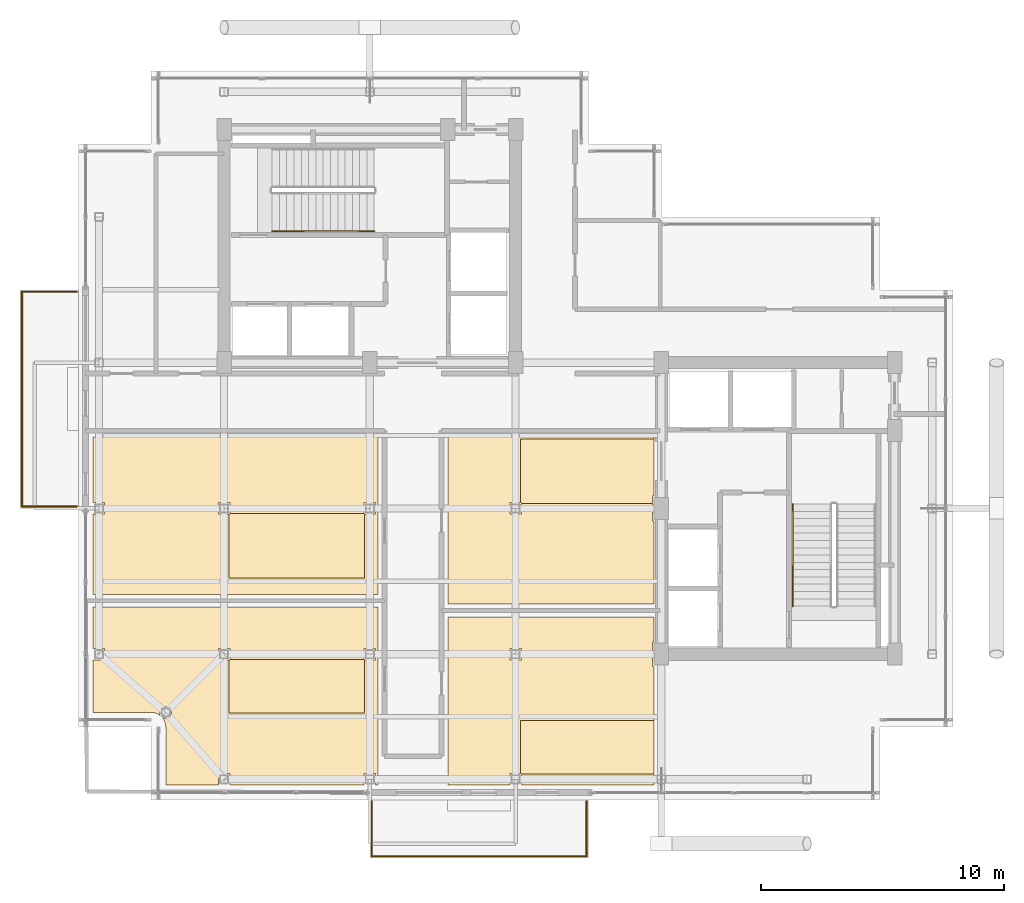
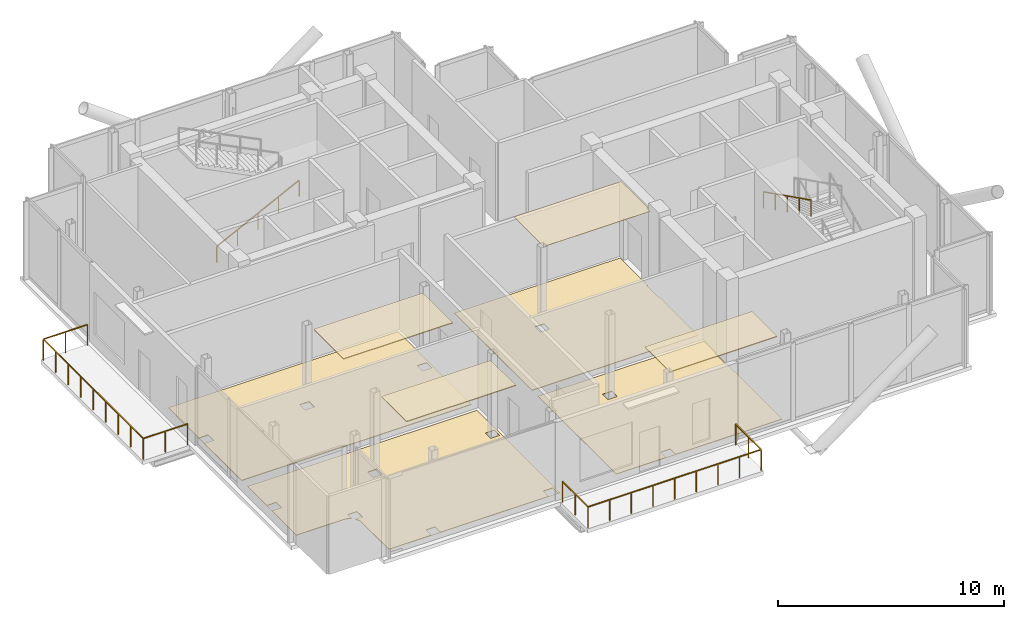
# One storey, part 15 of 16: 8 coverings, 4 railings.
"""IFC4 building model written with IfcOpenShell, lengths in metres."""

from ifc_helpers import new_model, si_unit, direction, frame, origin, origin_2d, place, context, subcontext, project, spatial, polyline, rectangle, outline, extrude, material, layer, layer_set, type_object, element, save


model = new_model("IFC4")

# Units and contexts
model_context = context("Model", 3, precision=1e-05, world=origin(), true_north=direction((0.0, 1.0)))
body_context = subcontext(model_context, "Body", "Model", "MODEL_VIEW")
ifc_project = project(units=[si_unit("LENGTHUNIT", "METRE"), si_unit("AREAUNIT", "SQUARE_METRE"), si_unit("VOLUMEUNIT", "CUBIC_METRE"), si_unit("PLANEANGLEUNIT", "RADIAN"), si_unit("MASSUNIT", "GRAM", prefix="KILO"), si_unit("THERMODYNAMICTEMPERATUREUNIT", "KELVIN"), si_unit("POWERUNIT", "WATT")], contexts=[model_context])

# Site, building, storey
site_placement = place(None, origin())
site = spatial("IfcSite", under=ifc_project, at=site_placement, CompositionType="ELEMENT")
building_placement = place(site_placement, origin())
building = spatial("IfcBuilding", under=site, at=building_placement, Name="Svarakhadi Broadcast Tower", CompositionType="ELEMENT")
storey_placement = place(building_placement, frame((0.0, 0.0, 296.39990234375)))
storey = spatial("IfcBuildingStorey", under=building, at=storey_placement, Name="L75", CompositionType="ELEMENT", Elevation=296.39990234375)

# Coverings
ifc_material_1 = material(Name="Anodised Bronze Aluminium Linear Acoustic Baffle", Category="aluminium")
ifc_layer_1 = layer(ifc_material_1, 0.044921875)
ifc_layer_set_1 = layer_set([ifc_layer_1], Name="Anodised Bronze Aluminium Linear Acoustic Baffle")
covering_type_1 = type_object("IfcCoveringType", Name="Cov_Ceiling_Baffle", PredefinedType="CEILING", material=ifc_layer_set_1)
covering_1_placement = place(storey_placement, frame((0.0, 0.0, 4.18017578125)))
element("IfcCovering", 1, at=covering_1_placement, inside=storey, type_object=covering_type_1, Name="L75 Public 360-Degree Harbour Viewing Deck Acoustic Ceiling", PredefinedType="CEILING", context=body_context, shape_type="SweptSolid", body=[
    extrude(outline(polyline([(6.235107421875, 5.764892578125), (6.235107421875, 5.7900390625), (11.764892578125, 5.7900390625), (11.764892578125, 5.764892578125), (11.7900390625, 5.764892578125), (11.7900390625, 3.570068359375), (6.2099609375, 3.570068359375), (6.2099609375, 3.81005859375), (6.2099609375, 5.764892578125), (6.235107421875, 5.764892578125)])), origin(), (0.0, 0.0, 1.0), 0.044921875),
])
covering_2_placement = place(storey_placement, frame((0.0, 0.0, 4.18017578125)))
element("IfcCovering", 2, at=covering_2_placement, inside=storey, type_object=covering_type_1, Name="L75 Interactive Mumbai Media Gallery Acoustic Ceiling", PredefinedType="CEILING", context=body_context, shape_type="SweptSolid", body=[
    extrude(outline(polyline([(6.235107421875, 11.764892578125), (6.235107421875, 11.7900390625), (11.764892578125, 11.7900390625), (11.764892578125, 11.764892578125), (11.7900390625, 11.764892578125), (11.7900390625, 9.14501953125), (6.2099609375, 9.14501953125), (6.2099609375, 11.764892578125), (6.235107421875, 11.764892578125)])), origin(), (0.0, 0.0, 1.0), 0.044921875),
])
covering_3_placement = place(storey_placement, frame((0.0, 0.0, 4.18017578125)))
element("IfcCovering", 3, at=covering_3_placement, inside=storey, type_object=covering_type_1, Name="L75 Sky-High Observatory Cafe Acoustic Ceiling", PredefinedType="CEILING", context=body_context, shape_type="SweptSolid", body=[
    extrude(outline(polyline([(23.68994140625, 1.06005859375), (18.235107421875, 1.06005859375), (18.235107421875, 1.0849609375), (18.2099609375, 1.0849609375), (18.2099609375, 3.280029296875), (23.68994140625, 3.280029296875), (23.68994140625, 1.06005859375)])), origin(), (0.0, 0.0, 1.0), 0.044921875),
])
ifc_material_2 = material(Name="Micro-Perforated Mineral Fibre Acoustic Ceiling Tile", Category="mineral_fibre")
ifc_layer_2 = layer(ifc_material_2, 0.02490234375)
ifc_layer_set_2 = layer_set([ifc_layer_2], Name="Micro-Perforated Mineral Fibre Acoustic Ceiling Tile")
covering_type_2 = type_object("IfcCoveringType", Name="Cov_Ceiling_Tile", PredefinedType="CEILING", material=ifc_layer_set_2)
covering_4_placement = place(storey_placement, frame((0.0, 0.0, 4.2001953125)))
element("IfcCovering", 4, at=covering_4_placement, inside=storey, type_object=covering_type_2, Name="L75 Observatory Catering Pantry Acoustic Ceiling", PredefinedType="CEILING", context=body_context, shape_type="SweptSolid", body=[
    extrude(outline(polyline([(23.68994140625, 12.510009765625), (23.639892578125, 12.510009765625), (23.639892578125, 12.2099609375), (18.235107421875, 12.2099609375), (18.235107421875, 12.235107421875), (18.2099609375, 12.235107421875), (18.2099609375, 14.85498046875), (23.68994140625, 14.85498046875), (23.68994140625, 12.510009765625)])), origin(), (0.0, 0.0, 1.0), 0.02490234375),
])
ifc_material_3 = material(Name="Honed Konkan Basalt Stone Tile Flooring", Category="masonry")
ifc_layer_3 = layer(ifc_material_3, 0.034912109375)
ifc_layer_set_3 = layer_set([ifc_layer_3], Name="Honed Konkan Basalt Stone Tile Flooring")
covering_type_3 = type_object("IfcCoveringType", Name="Cov_Floor_Basalt", PredefinedType="FLOORING", material=ifc_layer_set_3)
covering_5_placement = place(storey_placement, origin())
element("IfcCovering", 5, at=covering_5_placement, inside=storey, type_object=covering_type_3, Name="L75 Interactive Mumbai Media Gallery Floor Finish", PredefinedType="FLOORING", context=body_context, shape_type="SweptSolid", body=[
    extrude(outline(polyline([(12.340087890625, 14.93994140625), (12.340087890625, 8.4599609375), (0.610107421875, 8.4599609375), (0.610107421875, 14.93994140625), (12.340087890625, 14.93994140625)]), holes=[polyline([(6.235107421875, 11.764892578125), (6.235107421875, 12.235107421875), (5.764892578125, 12.235107421875), (5.764892578125, 11.764892578125), (6.235107421875, 11.764892578125)]), polyline([(12.235107421875, 11.764892578125), (12.235107421875, 12.235107421875), (11.764892578125, 12.235107421875), (11.764892578125, 11.764892578125), (12.235107421875, 11.764892578125)]), polyline([(1.0849609375, 11.764892578125), (1.0849609375, 12.235107421875), (0.614990234375, 12.235107421875), (0.614990234375, 11.764892578125), (1.0849609375, 11.764892578125)])]), origin(), (0.0, 0.0, 1.0), 0.03515625),
])
covering_6_placement = place(storey_placement, origin())
element("IfcCovering", 6, at=covering_6_placement, inside=storey, type_object=covering_type_3, Name="L75 Observatory Catering Pantry Floor Finish", PredefinedType="FLOORING", context=body_context, shape_type="SweptSolid", body=[
    extrude(outline(polyline([(23.68994140625, 14.93994140625), (23.68994140625, 12.510009765625), (23.639892578125, 12.510009765625), (23.639892578125, 11.489990234375), (23.68994140625, 11.489990234375), (23.68994140625, 8.06005859375), (15.2099609375, 8.06005859375), (15.2099609375, 14.93994140625), (23.68994140625, 14.93994140625)]), holes=[polyline([(18.235107421875, 11.764892578125), (18.235107421875, 12.235107421875), (17.764892578125, 12.235107421875), (17.764892578125, 11.764892578125), (18.235107421875, 11.764892578125)])]), origin(), (0.0, 0.0, 1.0), 0.03515625),
])
ifc_material_4 = material(Name="Polished White Marble-Chip Terrazzo Flooring", Category="masonry")
ifc_layer_4 = layer(ifc_material_4, 0.030029296875)
ifc_layer_set_4 = layer_set([ifc_layer_4], Name="Polished White Marble-Chip Terrazzo Flooring")
covering_type_4 = type_object("IfcCoveringType", Name="Cov_Floor_Terrazzo", PredefinedType="FLOORING", material=ifc_layer_set_4)
covering_7_placement = place(storey_placement, origin())
element("IfcCovering", 7, at=covering_7_placement, inside=storey, type_object=covering_type_4, Name="L75 Public 360-Degree Harbour Viewing Deck Floor Finish", PredefinedType="FLOORING", context=body_context, shape_type="SweptSolid", body=[
    extrude(outline(polyline([(12.340087890625, 0.610107421875), (3.60009765625, 0.610107421875), (3.60009765625, 3.0), (3.60009765625, 3.009033203125), (3.597900390625, 3.050048828125), (3.595947265625, 3.06689453125), (3.590087890625, 3.10791015625), (3.5869140625, 3.1259765625), (3.576904296875, 3.166015625), (3.571044921875, 3.18310546875), (3.556884765625, 3.221923828125), (3.550048828125, 3.239990234375), (3.531982421875, 3.277099609375), (3.52392578125, 3.291015625), (3.5029296875, 3.325927734375), (3.4951171875, 3.339111328125), (3.47607421875, 3.364990234375), (3.8349609375, 3.364990234375), (3.8349609375, 3.8349609375), (3.364990234375, 3.8349609375), (3.364990234375, 3.47607421875), (3.339111328125, 3.4951171875), (3.325927734375, 3.5029296875), (3.291015625, 3.52392578125), (3.277099609375, 3.531982421875), (3.239990234375, 3.550048828125), (3.221923828125, 3.556884765625), (3.18310546875, 3.571044921875), (3.166015625, 3.576904296875), (3.1259765625, 3.5869140625), (3.10791015625, 3.590087890625), (3.06689453125, 3.595947265625), (3.050048828125, 3.597900390625), (3.009033203125, 3.60009765625), (3.0, 3.60009765625), (0.610107421875, 3.60009765625), (0.610107421875, 7.93994140625), (12.340087890625, 7.93994140625), (12.340087890625, 0.610107421875)]), holes=[polyline([(12.235107421875, 0.614990234375), (12.235107421875, 1.0849609375), (11.764892578125, 1.0849609375), (11.764892578125, 0.614990234375), (12.235107421875, 0.614990234375)]), polyline([(6.235107421875, 0.614990234375), (6.235107421875, 1.0849609375), (5.764892578125, 1.0849609375), (5.764892578125, 0.614990234375), (6.235107421875, 0.614990234375)]), polyline([(1.0849609375, 5.764892578125), (1.0849609375, 6.235107421875), (0.614990234375, 6.235107421875), (0.614990234375, 5.764892578125), (1.0849609375, 5.764892578125)]), polyline([(12.235107421875, 5.764892578125), (12.235107421875, 6.235107421875), (11.764892578125, 6.235107421875), (11.764892578125, 5.764892578125), (12.235107421875, 5.764892578125)]), polyline([(6.235107421875, 5.764892578125), (6.235107421875, 6.235107421875), (5.764892578125, 6.235107421875), (5.764892578125, 5.764892578125), (6.235107421875, 5.764892578125)])]), origin(), (0.0, 0.0, 1.0), 0.030029296875),
])
covering_8_placement = place(storey_placement, origin())
element("IfcCovering", 8, at=covering_8_placement, inside=storey, type_object=covering_type_4, Name="L75 Sky-High Observatory Cafe Floor Finish", PredefinedType="FLOORING", context=body_context, shape_type="SweptSolid", body=[
    extrude(outline(polyline([(23.68994140625, 7.5400390625), (23.68994140625, 6.510009765625), (23.639892578125, 6.510009765625), (23.639892578125, 5.489990234375), (23.68994140625, 5.489990234375), (23.68994140625, 0.610107421875), (15.2099609375, 0.610107421875), (15.2099609375, 7.5400390625), (23.68994140625, 7.5400390625)]), holes=[polyline([(18.235107421875, 0.614990234375), (18.235107421875, 1.0849609375), (17.764892578125, 1.0849609375), (17.764892578125, 0.614990234375), (18.235107421875, 0.614990234375)]), polyline([(18.235107421875, 5.764892578125), (18.235107421875, 6.235107421875), (17.764892578125, 6.235107421875), (17.764892578125, 5.764892578125), (18.235107421875, 5.764892578125)])]), origin(), (0.0, 0.0, 1.0), 0.030029296875),
])

# Railings
ifc_material_5 = material(Name="Laminated Structural SentryGlas Balustrade 25.5 mm", Category="glass")
railing_type_1 = type_object("IfcRailingType", Name="Guard_Balcony_GR01", PredefinedType="BALUSTRADE", material=ifc_material_5)
railing_1_placement = place(storey_placement, frame((12.080078125, -0.06005859375, 0.0)))
element("IfcRailing", 9, at=railing_1_placement, inside=storey, type_object=railing_type_1, Name="L75 South Tree Balcony Guard GR-05", PredefinedType="BALUSTRADE", context=body_context, shape_type="SweptSolid", body=[
    extrude(rectangle(XDim=0.048095703125, YDim=0.048095703125, at=origin_2d()), frame((0.0, 0.0, 1.1259765625), z_axis=(0.0, -1.0, 0.0), x_axis=(1.0, 0.0, 0.0)), (0.0, 0.0, 1.0), 2.260009765625),
    extrude(rectangle(XDim=0.048095703125, YDim=0.048095703125, at=origin_2d()), frame((0.0, -2.260009765625, 1.1259765625), z_axis=(1.0, 0.0, 0.0), x_axis=(0.0, 1.0, 0.0)), (0.0, 0.0, 1.0), 8.83984375),
    extrude(rectangle(XDim=0.048095703125, YDim=0.048095703125, at=origin_2d()), frame((8.83984375, -2.260009765625, 1.1259765625), z_axis=(0.0, 1.0, 0.0), x_axis=(-1.0, 0.0, 0.0)), (0.0, 0.0, 1.0), 2.260009765625),
    extrude(rectangle(XDim=0.0419921875, YDim=0.0419921875, at=origin_2d()), origin(), (0.0, 0.0, 1.0), 1.101806640625),
    extrude(rectangle(XDim=0.0419921875, YDim=0.0419921875, at=origin_2d()), frame((0.0, -1.1298828125, 0.0)), (0.0, 0.0, 1.0), 1.101806640625),
    extrude(rectangle(XDim=0.0419921875, YDim=0.0419921875, at=origin_2d()), frame((0.0, -2.260009765625, 0.0)), (0.0, 0.0, 1.0), 1.101806640625),
    extrude(rectangle(XDim=0.0419921875, YDim=0.0419921875, at=origin_2d()), frame((1.10498046875, -2.260009765625, 0.0)), (0.0, 0.0, 1.0), 1.101806640625),
    extrude(rectangle(XDim=0.0419921875, YDim=0.0419921875, at=origin_2d()), frame((2.2099609375, -2.260009765625, 0.0)), (0.0, 0.0, 1.0), 1.101806640625),
    extrude(rectangle(XDim=0.0419921875, YDim=0.0419921875, at=origin_2d()), frame((3.31494140625, -2.260009765625, 0.0)), (0.0, 0.0, 1.0), 1.101806640625),
    extrude(rectangle(XDim=0.0419921875, YDim=0.0419921875, at=origin_2d()), frame((4.419921875, -2.260009765625, 0.0)), (0.0, 0.0, 1.0), 1.101806640625),
    extrude(rectangle(XDim=0.0419921875, YDim=0.0419921875, at=origin_2d()), frame((5.52490234375, -2.260009765625, 0.0)), (0.0, 0.0, 1.0), 1.101806640625),
    extrude(rectangle(XDim=0.0419921875, YDim=0.0419921875, at=origin_2d()), frame((6.6298828125, -2.260009765625, 0.0)), (0.0, 0.0, 1.0), 1.101806640625),
    extrude(rectangle(XDim=0.0419921875, YDim=0.0419921875, at=origin_2d()), frame((7.73486328125, -2.260009765625, 0.0)), (0.0, 0.0, 1.0), 1.101806640625),
    extrude(rectangle(XDim=0.0419921875, YDim=0.0419921875, at=origin_2d()), frame((8.83984375, -2.260009765625, 0.0)), (0.0, 0.0, 1.0), 1.101806640625),
    extrude(rectangle(XDim=0.0419921875, YDim=0.0419921875, at=origin_2d()), frame((8.83984375, -1.1298828125, 0.0)), (0.0, 0.0, 1.0), 1.101806640625),
    extrude(rectangle(XDim=0.0419921875, YDim=0.0419921875, at=origin_2d()), frame((8.83984375, 0.0, 0.0)), (0.0, 0.0, 1.0), 1.101806640625),
])
railing_2_placement = place(storey_placement, frame((-0.06005859375, 12.080078125, 0.0)))
element("IfcRailing", 10, at=railing_2_placement, inside=storey, type_object=railing_type_1, Name="L75 West Tree Balcony Guard GR-05", PredefinedType="BALUSTRADE", context=body_context, shape_type="SweptSolid", body=[
    extrude(rectangle(XDim=0.048095703125, YDim=0.048095703125, at=origin_2d()), frame((0.0, 0.0, 1.1259765625), z_axis=(-1.0, 0.0, 0.0), x_axis=(0.0, -1.0, 0.0)), (0.0, 0.0, 1.0), 2.260009765625),
    extrude(rectangle(XDim=0.048095703125, YDim=0.048095703125, at=origin_2d()), frame((-2.260009765625, 0.0, 1.1259765625), z_axis=(0.0, 1.0, 0.0), x_axis=(-1.0, 0.0, 0.0)), (0.0, 0.0, 1.0), 8.83984375),
    extrude(rectangle(XDim=0.048095703125, YDim=0.048095703125, at=origin_2d()), frame((-2.260009765625, 8.83984375, 1.1259765625), z_axis=(1.0, 0.0, 0.0), x_axis=(0.0, 1.0, 0.0)), (0.0, 0.0, 1.0), 2.260009765625),
    extrude(rectangle(XDim=0.0419921875, YDim=0.0419921875, at=origin_2d()), origin(), (0.0, 0.0, 1.0), 1.101806640625),
    extrude(rectangle(XDim=0.0419921875, YDim=0.0419921875, at=origin_2d()), frame((-1.1298828125, 0.0, 0.0)), (0.0, 0.0, 1.0), 1.101806640625),
    extrude(rectangle(XDim=0.0419921875, YDim=0.0419921875, at=origin_2d()), frame((-2.260009765625, 0.0, 0.0)), (0.0, 0.0, 1.0), 1.101806640625),
    extrude(rectangle(XDim=0.0419921875, YDim=0.0419921875, at=origin_2d()), frame((-2.260009765625, 1.10498046875, 0.0)), (0.0, 0.0, 1.0), 1.101806640625),
    extrude(rectangle(XDim=0.0419921875, YDim=0.0419921875, at=origin_2d()), frame((-2.260009765625, 2.2099609375, 0.0)), (0.0, 0.0, 1.0), 1.101806640625),
    extrude(rectangle(XDim=0.0419921875, YDim=0.0419921875, at=origin_2d()), frame((-2.260009765625, 3.31494140625, 0.0)), (0.0, 0.0, 1.0), 1.101806640625),
    extrude(rectangle(XDim=0.0419921875, YDim=0.0419921875, at=origin_2d()), frame((-2.260009765625, 4.419921875, 0.0)), (0.0, 0.0, 1.0), 1.101806640625),
    extrude(rectangle(XDim=0.0419921875, YDim=0.0419921875, at=origin_2d()), frame((-2.260009765625, 5.52490234375, 0.0)), (0.0, 0.0, 1.0), 1.101806640625),
    extrude(rectangle(XDim=0.0419921875, YDim=0.0419921875, at=origin_2d()), frame((-2.260009765625, 6.6298828125, 0.0)), (0.0, 0.0, 1.0), 1.101806640625),
    extrude(rectangle(XDim=0.0419921875, YDim=0.0419921875, at=origin_2d()), frame((-2.260009765625, 7.73486328125, 0.0)), (0.0, 0.0, 1.0), 1.101806640625),
    extrude(rectangle(XDim=0.0419921875, YDim=0.0419921875, at=origin_2d()), frame((-2.260009765625, 8.83984375, 0.0)), (0.0, 0.0, 1.0), 1.101806640625),
    extrude(rectangle(XDim=0.0419921875, YDim=0.0419921875, at=origin_2d()), frame((-1.1298828125, 8.83984375, 0.0)), (0.0, 0.0, 1.0), 1.101806640625),
    extrude(rectangle(XDim=0.0419921875, YDim=0.0419921875, at=origin_2d()), frame((0.0, 8.83984375, 0.0)), (0.0, 0.0, 1.0), 1.101806640625),
])
ifc_material_6 = material(Name="Anodised Bronze Aluminium AA 6063-T6", Category="aluminium")
railing_type_2 = type_object("IfcRailingType", Name="Handrail_Stair_HR01", PredefinedType="HANDRAIL", material=ifc_material_6)
railing_3_placement = place(storey_placement, frame((7.97998046875, 23.409912109375, 0.150146484375)))
element("IfcRailing", 11, at=railing_3_placement, inside=storey, type_object=railing_type_2, Name="L75 ST-01 stair handrail 1", PredefinedType="HANDRAIL", context=body_context, shape_type="SweptSolid", body=[
    extrude(rectangle(XDim=0.048095703125, YDim=0.048095703125, at=origin_2d()), frame((0.0, 0.0, 0.8759765625), z_axis=(0.894437589381, 0.0, 0.447192798132), x_axis=(0.0, 1.0, 0.0)), (0.0, 0.0, 1.0), 4.695556640625),
    extrude(rectangle(XDim=0.0419921875, YDim=0.0419921875, at=origin_2d()), origin(), (0.0, 0.0, 1.0), 0.851806640625),
    extrude(rectangle(XDim=0.0419921875, YDim=0.0419921875, at=origin_2d()), frame((1.050048828125, 0.0, 0.52490234375)), (0.0, 0.0, 1.0), 0.851806640625),
    extrude(rectangle(XDim=0.0419921875, YDim=0.0419921875, at=origin_2d()), frame((2.10009765625, 0.0, 1.0498046875)), (0.0, 0.0, 1.0), 0.851806640625),
    extrude(rectangle(XDim=0.0419921875, YDim=0.0419921875, at=origin_2d()), frame((3.14990234375, 0.0, 1.574951171875)), (0.0, 0.0, 1.0), 0.851806640625),
    extrude(rectangle(XDim=0.0419921875, YDim=0.0419921875, at=origin_2d()), frame((4.199951171875, 0.0, 2.099853515625)), (0.0, 0.0, 1.0), 0.851806640625),
])
railing_4_placement = place(storey_placement, frame((29.409912109375, 12.179931640625, 2.400146484375)))
element("IfcRailing", 12, at=railing_4_placement, inside=storey, type_object=railing_type_2, Name="L75 ST-02 stair handrail 2", PredefinedType="HANDRAIL", context=body_context, shape_type="SweptSolid", body=[
    extrude(rectangle(XDim=0.048095703125, YDim=0.048095703125, at=origin_2d()), frame((0.0, 0.0, 0.8759765625), z_axis=(0.0, -0.894437589381, 0.447192798132), x_axis=(1.0, 0.0, 0.0)), (0.0, 0.0, 1.0), 4.695556640625),
    extrude(rectangle(XDim=0.0419921875, YDim=0.0419921875, at=origin_2d()), origin(), (0.0, 0.0, 1.0), 0.851806640625),
    extrude(rectangle(XDim=0.0419921875, YDim=0.0419921875, at=origin_2d()), frame((0.0, -1.050048828125, 0.52490234375)), (0.0, 0.0, 1.0), 0.851806640625),
    extrude(rectangle(XDim=0.0419921875, YDim=0.0419921875, at=origin_2d()), frame((0.0, -2.10009765625, 1.0498046875)), (0.0, 0.0, 1.0), 0.851806640625),
    extrude(rectangle(XDim=0.0419921875, YDim=0.0419921875, at=origin_2d()), frame((0.0, -3.14990234375, 1.574951171875)), (0.0, 0.0, 1.0), 0.851806640625),
    extrude(rectangle(XDim=0.0419921875, YDim=0.0419921875, at=origin_2d()), frame((0.0, -4.199951171875, 2.099853515625)), (0.0, 0.0, 1.0), 0.851806640625),
])

save(model, "model.ifc")
